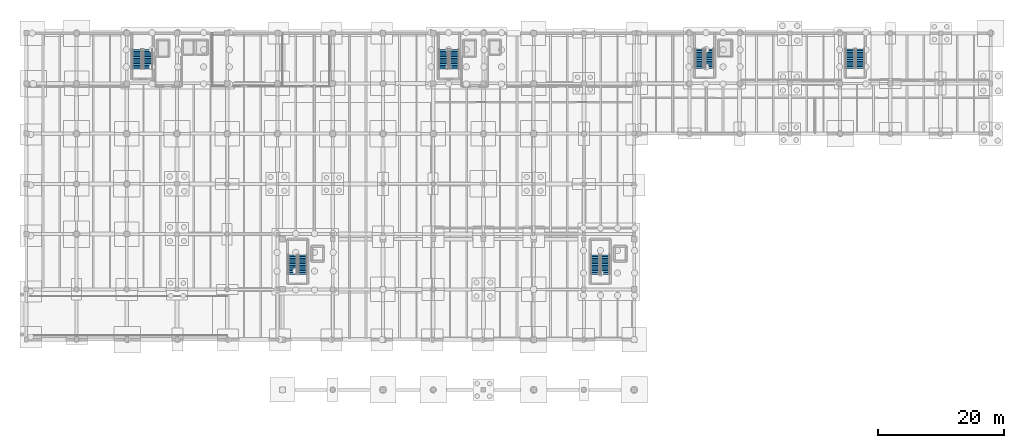
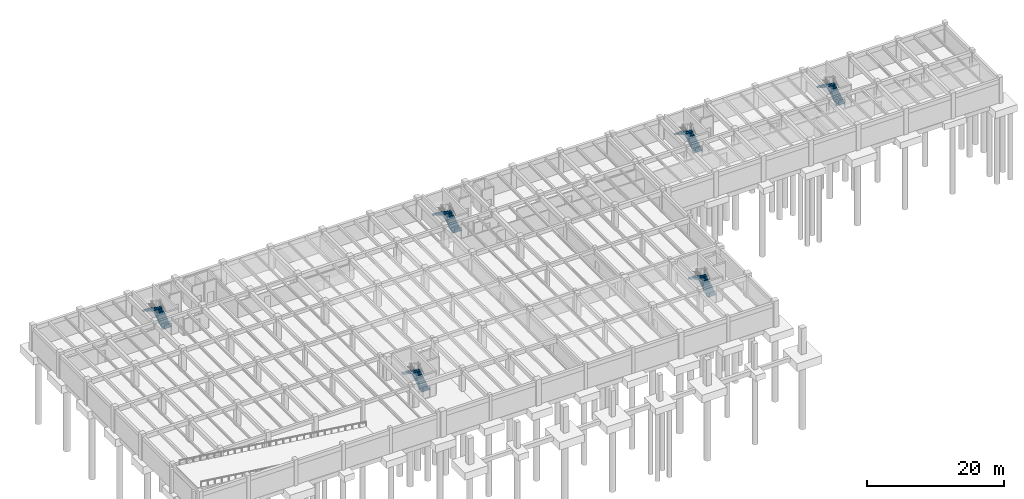
# One storey, part 17 of 25: 12 stair flights, 6 elements without a shape of their own.
"""IFC4 building model written with IfcOpenShell, lengths in metres."""

from ifc_helpers import new_model, si_unit, direction, frame, origin, place, context, subcontext, project, spatial, polyline, outline, extrude, material, type_object, element, aggregate, save


model = new_model("IFC4")

# Units and contexts
model_context = context("Model", 3, precision=1e-05, world=origin(), true_north=direction((0.0, 1.0)))
body_context = subcontext(model_context, "Body", "Model", "MODEL_VIEW")
ifc_project = project(units=[si_unit("LENGTHUNIT", "METRE"), si_unit("AREAUNIT", "SQUARE_METRE"), si_unit("VOLUMEUNIT", "CUBIC_METRE"), si_unit("PLANEANGLEUNIT", "RADIAN"), si_unit("MASSUNIT", "GRAM", prefix="KILO")], contexts=[model_context])

# Site, building, storey
site_placement = place(None, origin())
site = spatial("IfcSite", under=ifc_project, at=site_placement, CompositionType="ELEMENT")
building_placement = place(site_placement, origin())
building = spatial("IfcBuilding", under=site, at=building_placement, Name="Tlaxcora Railside Police Headquarters", CompositionType="ELEMENT")
storey_placement = place(building_placement, frame((0.0, 0.0, -4.199951171875)))
storey = spatial("IfcBuildingStorey", under=building, at=storey_placement, Name="B1", CompositionType="ELEMENT", Elevation=-4.199951171875)

# Stair, stair flights
ifc_material = material(Name="Concrete C40/50", Category="concrete")
stair_type_1 = type_object("IfcStairType", Name="Half-Turn Dog-Leg Stair ST-45", PredefinedType="HALF_TURN_STAIR", material=ifc_material)
stair_1_placement = place(storey_placement, origin())
stair_1 = element("IfcStair", 1, at=stair_1_placement, inside=storey, type_object=stair_type_1, Name="B1 ST3", PredefinedType="HALF_TURN_STAIR")
stair_flight_type_1 = type_object("IfcStairFlightType", Name="Straight Stair Flight SF-16", PredefinedType="STRAIGHT", material=ifc_material)
stair_flight_1_placement = place(storey_placement, frame((114.010009765625, 87.2099609375, 0.0), z_axis=(0.0, 0.0, 1.0), x_axis=(0.0, 1.0, 0.0)))
stair_flight_1 = element("IfcStairFlight", 2, at=stair_flight_1_placement, type_object=stair_flight_type_1, Name="ST3 flight 1", NumberOfRisers=12, NumberOfTreads=11, PredefinedType="STRAIGHT", RiserHeight=0.175, TreadLength=0.28, context=body_context, shape_type="SweptSolid", body=[
    extrude(outline(polyline([(0.0, 0.0), (0.0, 0.175048828125), (0.280029296875, 0.175048828125), (0.280029296875, 0.35009765625), (0.56005859375, 0.35009765625), (0.56005859375, 0.52490234375), (0.840087890625, 0.52490234375), (0.840087890625, 0.699951171875), (1.1201171875, 0.699951171875), (1.1201171875, 0.875), (1.39990234375, 0.875), (1.39990234375, 1.050048828125), (1.679931640625, 1.050048828125), (1.679931640625, 1.22509765625), (1.9599609375, 1.22509765625), (1.9599609375, 1.39990234375), (2.239990234375, 1.39990234375), (2.239990234375, 1.574951171875), (2.52001953125, 1.574951171875), (2.52001953125, 1.75), (2.800048828125, 1.75), (2.800048828125, 1.925048828125), (3.080078125, 1.925048828125), (3.080078125, 2.10009765625), (3.080078125, 1.748291015625), (0.28271484375, 0.0), (0.0, 0.0)])), frame((0.0, 0.699951171875, 0.0), z_axis=(0.0, -1.0, 0.0), x_axis=(1.0, 0.0, 0.0)), (0.0, 0.0, 1.0), 1.39990234375),
])
stair_flight_2_placement = place(storey_placement, frame((112.409912109375, 90.2900390625, 2.099853515625), z_axis=(0.0, 0.0, 1.0), x_axis=(0.0, -1.0, 0.0)))
stair_flight_2 = element("IfcStairFlight", 3, at=stair_flight_2_placement, type_object=stair_flight_type_1, Name="ST3 flight 2", NumberOfRisers=12, NumberOfTreads=11, PredefinedType="STRAIGHT", RiserHeight=0.175, TreadLength=0.28, context=body_context, shape_type="SweptSolid", body=[
    extrude(outline(polyline([(0.0, 0.0), (0.0, 0.175048828125), (0.280029296875, 0.175048828125), (0.280029296875, 0.35009765625), (0.56005859375, 0.35009765625), (0.56005859375, 0.52490234375), (0.840087890625, 0.52490234375), (0.840087890625, 0.699951171875), (1.1201171875, 0.699951171875), (1.1201171875, 0.875), (1.39990234375, 0.875), (1.39990234375, 1.050048828125), (1.679931640625, 1.050048828125), (1.679931640625, 1.22509765625), (1.9599609375, 1.22509765625), (1.9599609375, 1.39990234375), (2.239990234375, 1.39990234375), (2.239990234375, 1.574951171875), (2.52001953125, 1.574951171875), (2.52001953125, 1.75), (2.800048828125, 1.75), (2.800048828125, 1.925048828125), (3.080078125, 1.925048828125), (3.080078125, 2.10009765625), (3.080078125, 1.748291015625), (0.28271484375, 0.0), (0.0, 0.0)])), frame((0.0, 0.699951171875, 0.0), z_axis=(0.0, -1.0, 0.0), x_axis=(1.0, 0.0, 0.0)), (0.0, 0.0, 1.0), 1.39990234375),
])
aggregate(stair_1, [stair_flight_1, stair_flight_2])

stair_2_placement = place(storey_placement, origin())
stair_2 = element("IfcStair", 4, at=stair_2_placement, inside=storey, type_object=stair_type_1, Name="B1 ST8", PredefinedType="HALF_TURN_STAIR")
stair_flight_3_placement = place(storey_placement, frame((138.010009765625, 87.2099609375, 0.0), z_axis=(0.0, 0.0, 1.0), x_axis=(0.0, 1.0, 0.0)))
stair_flight_3 = element("IfcStairFlight", 5, at=stair_flight_3_placement, type_object=stair_flight_type_1, Name="ST8 flight 1", NumberOfRisers=12, NumberOfTreads=11, PredefinedType="STRAIGHT", RiserHeight=0.175, TreadLength=0.28, context=body_context, shape_type="SweptSolid", body=[
    extrude(outline(polyline([(0.0, 0.0), (0.0, 0.175048828125), (0.280029296875, 0.175048828125), (0.280029296875, 0.35009765625), (0.56005859375, 0.35009765625), (0.56005859375, 0.52490234375), (0.840087890625, 0.52490234375), (0.840087890625, 0.699951171875), (1.1201171875, 0.699951171875), (1.1201171875, 0.875), (1.39990234375, 0.875), (1.39990234375, 1.050048828125), (1.679931640625, 1.050048828125), (1.679931640625, 1.22509765625), (1.9599609375, 1.22509765625), (1.9599609375, 1.39990234375), (2.239990234375, 1.39990234375), (2.239990234375, 1.574951171875), (2.52001953125, 1.574951171875), (2.52001953125, 1.75), (2.800048828125, 1.75), (2.800048828125, 1.925048828125), (3.080078125, 1.925048828125), (3.080078125, 2.10009765625), (3.080078125, 1.748291015625), (0.28271484375, 0.0), (0.0, 0.0)])), frame((0.0, 0.699951171875, 0.0), z_axis=(0.0, -1.0, 0.0), x_axis=(1.0, 0.0, 0.0)), (0.0, 0.0, 1.0), 1.39990234375),
])
stair_flight_4_placement = place(storey_placement, frame((136.409912109375, 90.2900390625, 2.099853515625), z_axis=(0.0, 0.0, 1.0), x_axis=(0.0, -1.0, 0.0)))
stair_flight_4 = element("IfcStairFlight", 6, at=stair_flight_4_placement, type_object=stair_flight_type_1, Name="ST8 flight 2", NumberOfRisers=12, NumberOfTreads=11, PredefinedType="STRAIGHT", RiserHeight=0.175, TreadLength=0.28, context=body_context, shape_type="SweptSolid", body=[
    extrude(outline(polyline([(0.0, 0.0), (0.0, 0.175048828125), (0.280029296875, 0.175048828125), (0.280029296875, 0.35009765625), (0.56005859375, 0.35009765625), (0.56005859375, 0.52490234375), (0.840087890625, 0.52490234375), (0.840087890625, 0.699951171875), (1.1201171875, 0.699951171875), (1.1201171875, 0.875), (1.39990234375, 0.875), (1.39990234375, 1.050048828125), (1.679931640625, 1.050048828125), (1.679931640625, 1.22509765625), (1.9599609375, 1.22509765625), (1.9599609375, 1.39990234375), (2.239990234375, 1.39990234375), (2.239990234375, 1.574951171875), (2.52001953125, 1.574951171875), (2.52001953125, 1.75), (2.800048828125, 1.75), (2.800048828125, 1.925048828125), (3.080078125, 1.925048828125), (3.080078125, 2.10009765625), (3.080078125, 1.748291015625), (0.28271484375, 0.0), (0.0, 0.0)])), frame((0.0, 0.699951171875, 0.0), z_axis=(0.0, -1.0, 0.0), x_axis=(1.0, 0.0, 0.0)), (0.0, 0.0, 1.0), 1.39990234375),
])
aggregate(stair_2, [stair_flight_3, stair_flight_4])

stair_3_placement = place(storey_placement, origin())
stair_3 = element("IfcStair", 7, at=stair_3_placement, inside=storey, type_object=stair_type_1, Name="B1 ST4", PredefinedType="HALF_TURN_STAIR")
stair_flight_5_placement = place(storey_placement, frame((49.2099609375, 54.409912109375, 0.0), z_axis=(0.0, 0.0, 1.0), x_axis=(0.0, 1.0, 0.0)))
stair_flight_5 = element("IfcStairFlight", 8, at=stair_flight_5_placement, type_object=stair_flight_type_1, Name="ST4 flight 1", NumberOfRisers=12, NumberOfTreads=11, PredefinedType="STRAIGHT", RiserHeight=0.175, TreadLength=0.28, context=body_context, shape_type="SweptSolid", body=[
    extrude(outline(polyline([(0.0, 0.0), (0.0, 0.175048828125), (0.280029296875, 0.175048828125), (0.280029296875, 0.35009765625), (0.56005859375, 0.35009765625), (0.56005859375, 0.52490234375), (0.840087890625, 0.52490234375), (0.840087890625, 0.699951171875), (1.1201171875, 0.699951171875), (1.1201171875, 0.875), (1.39990234375, 0.875), (1.39990234375, 1.050048828125), (1.679931640625, 1.050048828125), (1.679931640625, 1.22509765625), (1.9599609375, 1.22509765625), (1.9599609375, 1.39990234375), (2.239990234375, 1.39990234375), (2.239990234375, 1.574951171875), (2.52001953125, 1.574951171875), (2.52001953125, 1.75), (2.800048828125, 1.75), (2.800048828125, 1.925048828125), (3.080078125, 1.925048828125), (3.080078125, 2.10009765625), (3.080078125, 1.748291015625), (0.28271484375, 0.0), (0.0, 0.0)])), frame((0.0, 0.699951171875, 0.0), z_axis=(0.0, -1.0, 0.0), x_axis=(1.0, 0.0, 0.0)), (0.0, 0.0, 1.0), 1.39990234375),
])
stair_flight_6_placement = place(storey_placement, frame((47.610107421875, 57.489990234375, 2.099853515625), z_axis=(0.0, 0.0, 1.0), x_axis=(0.0, -1.0, 0.0)))
stair_flight_6 = element("IfcStairFlight", 9, at=stair_flight_6_placement, type_object=stair_flight_type_1, Name="ST4 flight 2", NumberOfRisers=12, NumberOfTreads=11, PredefinedType="STRAIGHT", RiserHeight=0.175, TreadLength=0.28, context=body_context, shape_type="SweptSolid", body=[
    extrude(outline(polyline([(0.0, 0.0), (0.0, 0.175048828125), (0.280029296875, 0.175048828125), (0.280029296875, 0.35009765625), (0.56005859375, 0.35009765625), (0.56005859375, 0.52490234375), (0.840087890625, 0.52490234375), (0.840087890625, 0.699951171875), (1.1201171875, 0.699951171875), (1.1201171875, 0.875), (1.39990234375, 0.875), (1.39990234375, 1.050048828125), (1.679931640625, 1.050048828125), (1.679931640625, 1.22509765625), (1.9599609375, 1.22509765625), (1.9599609375, 1.39990234375), (2.239990234375, 1.39990234375), (2.239990234375, 1.574951171875), (2.52001953125, 1.574951171875), (2.52001953125, 1.75), (2.800048828125, 1.75), (2.800048828125, 1.925048828125), (3.080078125, 1.925048828125), (3.080078125, 2.10009765625), (3.080078125, 1.748291015625), (0.28271484375, 0.0), (0.0, 0.0)])), frame((0.0, 0.699951171875, 0.0), z_axis=(0.0, -1.0, 0.0), x_axis=(1.0, 0.0, 0.0)), (0.0, 0.0, 1.0), 1.39990234375),
])
aggregate(stair_3, [stair_flight_5, stair_flight_6])

stair_4_placement = place(storey_placement, origin())
stair_4 = element("IfcStair", 10, at=stair_4_placement, inside=storey, type_object=stair_type_1, Name="B1 ST9", PredefinedType="HALF_TURN_STAIR")
stair_flight_7_placement = place(storey_placement, frame((97.409912109375, 54.409912109375, 0.0), z_axis=(0.0, 0.0, 1.0), x_axis=(0.0, 1.0, 0.0)))
stair_flight_7 = element("IfcStairFlight", 11, at=stair_flight_7_placement, type_object=stair_flight_type_1, Name="ST9 flight 1", NumberOfRisers=12, NumberOfTreads=11, PredefinedType="STRAIGHT", RiserHeight=0.175, TreadLength=0.28, context=body_context, shape_type="SweptSolid", body=[
    extrude(outline(polyline([(0.0, 0.0), (0.0, 0.175048828125), (0.280029296875, 0.175048828125), (0.280029296875, 0.35009765625), (0.56005859375, 0.35009765625), (0.56005859375, 0.52490234375), (0.840087890625, 0.52490234375), (0.840087890625, 0.699951171875), (1.1201171875, 0.699951171875), (1.1201171875, 0.875), (1.39990234375, 0.875), (1.39990234375, 1.050048828125), (1.679931640625, 1.050048828125), (1.679931640625, 1.22509765625), (1.9599609375, 1.22509765625), (1.9599609375, 1.39990234375), (2.239990234375, 1.39990234375), (2.239990234375, 1.574951171875), (2.52001953125, 1.574951171875), (2.52001953125, 1.75), (2.800048828125, 1.75), (2.800048828125, 1.925048828125), (3.080078125, 1.925048828125), (3.080078125, 2.10009765625), (3.080078125, 1.748291015625), (0.28271484375, 0.0), (0.0, 0.0)])), frame((0.0, 0.699951171875, 0.0), z_axis=(0.0, -1.0, 0.0), x_axis=(1.0, 0.0, 0.0)), (0.0, 0.0, 1.0), 1.39990234375),
])
stair_flight_8_placement = place(storey_placement, frame((95.81005859375, 57.489990234375, 2.099853515625), z_axis=(0.0, 0.0, 1.0), x_axis=(0.0, -1.0, 0.0)))
stair_flight_8 = element("IfcStairFlight", 12, at=stair_flight_8_placement, type_object=stair_flight_type_1, Name="ST9 flight 2", NumberOfRisers=12, NumberOfTreads=11, PredefinedType="STRAIGHT", RiserHeight=0.175, TreadLength=0.28, context=body_context, shape_type="SweptSolid", body=[
    extrude(outline(polyline([(0.0, 0.0), (0.0, 0.175048828125), (0.280029296875, 0.175048828125), (0.280029296875, 0.35009765625), (0.56005859375, 0.35009765625), (0.56005859375, 0.52490234375), (0.840087890625, 0.52490234375), (0.840087890625, 0.699951171875), (1.1201171875, 0.699951171875), (1.1201171875, 0.875), (1.39990234375, 0.875), (1.39990234375, 1.050048828125), (1.679931640625, 1.050048828125), (1.679931640625, 1.22509765625), (1.9599609375, 1.22509765625), (1.9599609375, 1.39990234375), (2.239990234375, 1.39990234375), (2.239990234375, 1.574951171875), (2.52001953125, 1.574951171875), (2.52001953125, 1.75), (2.800048828125, 1.75), (2.800048828125, 1.925048828125), (3.080078125, 1.925048828125), (3.080078125, 2.10009765625), (3.080078125, 1.748291015625), (0.28271484375, 0.0), (0.0, 0.0)])), frame((0.0, 0.699951171875, 0.0), z_axis=(0.0, -1.0, 0.0), x_axis=(1.0, 0.0, 0.0)), (0.0, 0.0, 1.0), 1.39990234375),
])
aggregate(stair_4, [stair_flight_7, stair_flight_8])

stair_type_2 = type_object("IfcStairType", Name="Half-Turn Dog-Leg Stair ST-36", PredefinedType="HALF_TURN_STAIR", material=ifc_material)
stair_5_placement = place(storey_placement, origin())
stair_5 = element("IfcStair", 13, at=stair_5_placement, inside=storey, type_object=stair_type_2, Name="B1 ST1", PredefinedType="HALF_TURN_STAIR")
stair_flight_type_2 = type_object("IfcStairFlightType", Name="Straight Stair Flight SF-23", PredefinedType="STRAIGHT", material=ifc_material)
stair_flight_9_placement = place(storey_placement, frame((24.56005859375, 87.110107421875, 0.0), z_axis=(0.0, 0.0, 1.0), x_axis=(0.0, 1.0, 0.0)))
stair_flight_9 = element("IfcStairFlight", 14, at=stair_flight_9_placement, type_object=stair_flight_type_2, Name="ST1 flight 1", NumberOfRisers=12, NumberOfTreads=11, PredefinedType="STRAIGHT", RiserHeight=0.175, TreadLength=0.28, context=body_context, shape_type="SweptSolid", body=[
    extrude(outline(polyline([(0.0, 0.0), (0.0, 0.175048828125), (0.280029296875, 0.175048828125), (0.280029296875, 0.35009765625), (0.56005859375, 0.35009765625), (0.56005859375, 0.52490234375), (0.840087890625, 0.52490234375), (0.840087890625, 0.699951171875), (1.1201171875, 0.699951171875), (1.1201171875, 0.875), (1.39990234375, 0.875), (1.39990234375, 1.050048828125), (1.679931640625, 1.050048828125), (1.679931640625, 1.22509765625), (1.9599609375, 1.22509765625), (1.9599609375, 1.39990234375), (2.239990234375, 1.39990234375), (2.239990234375, 1.574951171875), (2.52001953125, 1.574951171875), (2.52001953125, 1.75), (2.800048828125, 1.75), (2.800048828125, 1.925048828125), (3.080078125, 1.925048828125), (3.080078125, 2.10009765625), (3.080078125, 1.748291015625), (0.28271484375, 0.0), (0.0, 0.0)])), frame((0.0, 0.75, 0.0), z_axis=(0.0, -1.0, 0.0), x_axis=(1.0, 0.0, 0.0)), (0.0, 0.0, 1.0), 1.5),
])
stair_flight_10_placement = place(storey_placement, frame((22.860107421875, 90.18994140625, 2.099853515625), z_axis=(0.0, 0.0, 1.0), x_axis=(0.0, -1.0, 0.0)))
stair_flight_10 = element("IfcStairFlight", 15, at=stair_flight_10_placement, type_object=stair_flight_type_2, Name="ST1 flight 2", NumberOfRisers=12, NumberOfTreads=11, PredefinedType="STRAIGHT", RiserHeight=0.175, TreadLength=0.28, context=body_context, shape_type="SweptSolid", body=[
    extrude(outline(polyline([(0.0, 0.0), (0.0, 0.175048828125), (0.280029296875, 0.175048828125), (0.280029296875, 0.35009765625), (0.56005859375, 0.35009765625), (0.56005859375, 0.52490234375), (0.840087890625, 0.52490234375), (0.840087890625, 0.699951171875), (1.1201171875, 0.699951171875), (1.1201171875, 0.875), (1.39990234375, 0.875), (1.39990234375, 1.050048828125), (1.679931640625, 1.050048828125), (1.679931640625, 1.22509765625), (1.9599609375, 1.22509765625), (1.9599609375, 1.39990234375), (2.239990234375, 1.39990234375), (2.239990234375, 1.574951171875), (2.52001953125, 1.574951171875), (2.52001953125, 1.75), (2.800048828125, 1.75), (2.800048828125, 1.925048828125), (3.080078125, 1.925048828125), (3.080078125, 2.10009765625), (3.080078125, 1.748291015625), (0.28271484375, 0.0), (0.0, 0.0)])), frame((0.0, 0.75, 0.0), z_axis=(0.0, -1.0, 0.0), x_axis=(1.0, 0.0, 0.0)), (0.0, 0.0, 1.0), 1.5),
])
aggregate(stair_5, [stair_flight_9, stair_flight_10])

stair_6_placement = place(storey_placement, origin())
stair_6 = element("IfcStair", 16, at=stair_6_placement, inside=storey, type_object=stair_type_2, Name="B1 ST2", PredefinedType="HALF_TURN_STAIR")
stair_flight_11_placement = place(storey_placement, frame((73.360107421875, 87.110107421875, 0.0), z_axis=(0.0, 0.0, 1.0), x_axis=(0.0, 1.0, 0.0)))
stair_flight_11 = element("IfcStairFlight", 17, at=stair_flight_11_placement, type_object=stair_flight_type_2, Name="ST2 flight 1", NumberOfRisers=12, NumberOfTreads=11, PredefinedType="STRAIGHT", RiserHeight=0.175, TreadLength=0.28, context=body_context, shape_type="SweptSolid", body=[
    extrude(outline(polyline([(0.0, 0.0), (0.0, 0.175048828125), (0.280029296875, 0.175048828125), (0.280029296875, 0.35009765625), (0.56005859375, 0.35009765625), (0.56005859375, 0.52490234375), (0.840087890625, 0.52490234375), (0.840087890625, 0.699951171875), (1.1201171875, 0.699951171875), (1.1201171875, 0.875), (1.39990234375, 0.875), (1.39990234375, 1.050048828125), (1.679931640625, 1.050048828125), (1.679931640625, 1.22509765625), (1.9599609375, 1.22509765625), (1.9599609375, 1.39990234375), (2.239990234375, 1.39990234375), (2.239990234375, 1.574951171875), (2.52001953125, 1.574951171875), (2.52001953125, 1.75), (2.800048828125, 1.75), (2.800048828125, 1.925048828125), (3.080078125, 1.925048828125), (3.080078125, 2.10009765625), (3.080078125, 1.748291015625), (0.28271484375, 0.0), (0.0, 0.0)])), frame((0.0, 0.75, 0.0), z_axis=(0.0, -1.0, 0.0), x_axis=(1.0, 0.0, 0.0)), (0.0, 0.0, 1.0), 1.5),
])
stair_flight_12_placement = place(storey_placement, frame((71.659912109375, 90.18994140625, 2.099853515625), z_axis=(0.0, 0.0, 1.0), x_axis=(0.0, -1.0, 0.0)))
stair_flight_12 = element("IfcStairFlight", 18, at=stair_flight_12_placement, type_object=stair_flight_type_2, Name="ST2 flight 2", NumberOfRisers=12, NumberOfTreads=11, PredefinedType="STRAIGHT", RiserHeight=0.175, TreadLength=0.28, context=body_context, shape_type="SweptSolid", body=[
    extrude(outline(polyline([(0.0, 0.0), (0.0, 0.175048828125), (0.280029296875, 0.175048828125), (0.280029296875, 0.35009765625), (0.56005859375, 0.35009765625), (0.56005859375, 0.52490234375), (0.840087890625, 0.52490234375), (0.840087890625, 0.699951171875), (1.1201171875, 0.699951171875), (1.1201171875, 0.875), (1.39990234375, 0.875), (1.39990234375, 1.050048828125), (1.679931640625, 1.050048828125), (1.679931640625, 1.22509765625), (1.9599609375, 1.22509765625), (1.9599609375, 1.39990234375), (2.239990234375, 1.39990234375), (2.239990234375, 1.574951171875), (2.52001953125, 1.574951171875), (2.52001953125, 1.75), (2.800048828125, 1.75), (2.800048828125, 1.925048828125), (3.080078125, 1.925048828125), (3.080078125, 2.10009765625), (3.080078125, 1.748291015625), (0.28271484375, 0.0), (0.0, 0.0)])), frame((0.0, 0.75, 0.0), z_axis=(0.0, -1.0, 0.0), x_axis=(1.0, 0.0, 0.0)), (0.0, 0.0, 1.0), 1.5),
])
aggregate(stair_6, [stair_flight_11, stair_flight_12])

save(model, "model.ifc")
